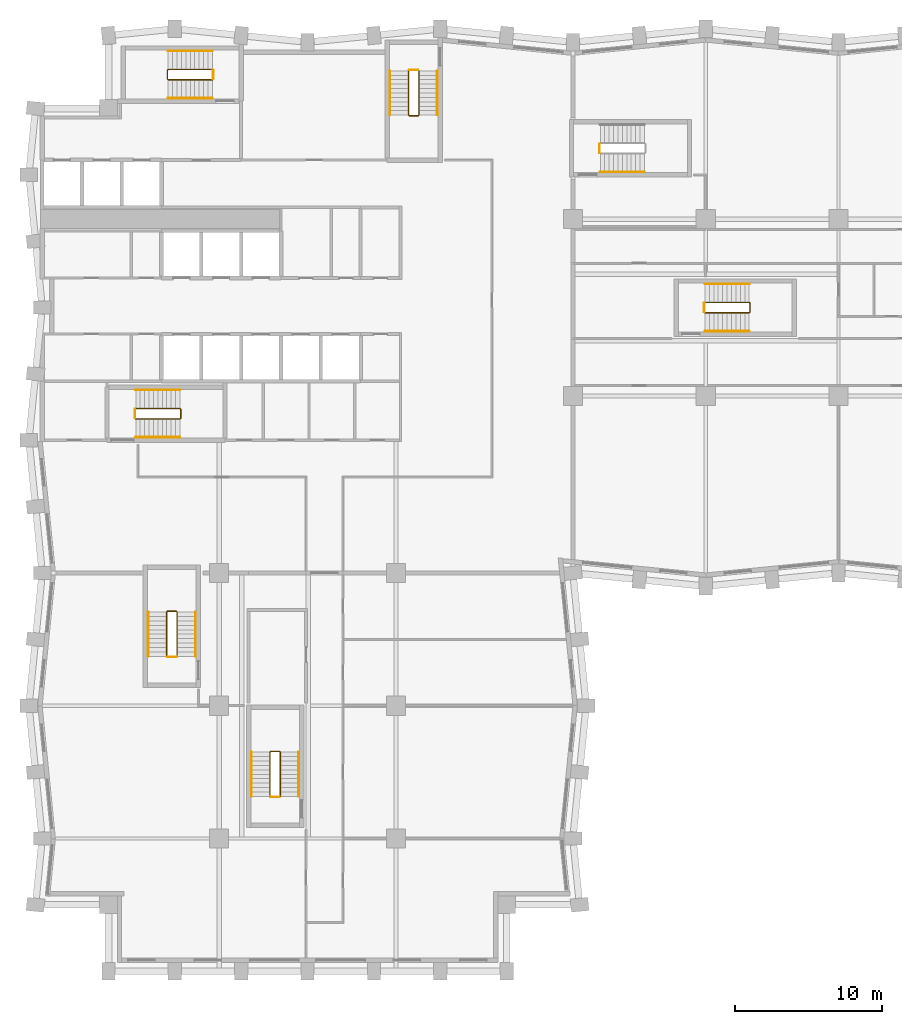
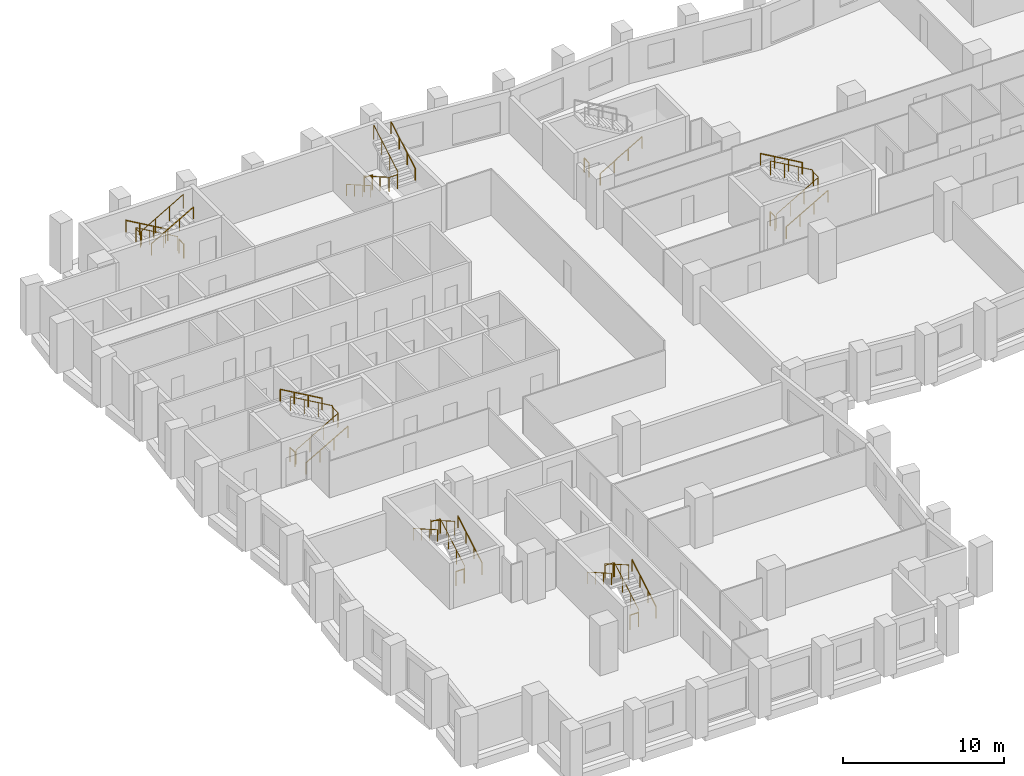
# One storey, part 10 of 11: 26 railings.
"""IFC4 building model written with IfcOpenShell, lengths in metres."""

from ifc_helpers import new_model, si_unit, direction, frame, origin, origin_2d, place, context, subcontext, project, spatial, circle, extrude, material, type_object, element, save


model = new_model("IFC4")

# Units and contexts
model_context = context("Model", 3, precision=1e-05, world=origin(), true_north=direction((0.0, 1.0)))
body_context = subcontext(model_context, "Body", "Model", "MODEL_VIEW")
ifc_project = project(units=[si_unit("LENGTHUNIT", "METRE"), si_unit("AREAUNIT", "SQUARE_METRE"), si_unit("VOLUMEUNIT", "CUBIC_METRE"), si_unit("PLANEANGLEUNIT", "RADIAN"), si_unit("MASSUNIT", "GRAM", prefix="KILO")], contexts=[model_context])

# Site, building, storey
site_placement = place(None, origin())
site = spatial("IfcSite", under=ifc_project, at=site_placement, CompositionType="ELEMENT")
building_placement = place(site_placement, origin())
building = spatial("IfcBuilding", under=site, at=building_placement, Name="Brondeck Convention Tower", CompositionType="ELEMENT")
storey_placement = place(building_placement, frame((0.0, 0.0, 99.89990234375)))
storey = spatial("IfcBuildingStorey", under=building, at=storey_placement, Name="L23", CompositionType="ELEMENT", Elevation=99.89990234375)

# Railings
ifc_material = material(Name="Steel S355", Category="steel")
railing_type_1 = type_object("IfcRailingType", Name="Stair guard 1100", PredefinedType="GUARDRAIL", material=ifc_material)
railing_1_placement = place(storey_placement, frame((6.35009765625, 37.449951171875, 0.1728515625)))
element("IfcRailing", 1, at=railing_1_placement, inside=storey, type_object=railing_type_1, Name="L23 ST-1 stair guard 1", PredefinedType="GUARDRAIL", context=body_context, shape_type="SweptSolid", body=[
    extrude(circle(Radius=0.02392578125, at=origin_2d()), frame((0.0, 0.0, 1.076171875), z_axis=(0.866619684472, 0.0, 0.498969260062), x_axis=(0.0, 1.0, 0.0)), (0.0, 0.0, 1.0), 3.461669921875),
    extrude(circle(Radius=0.02392578125, at=origin_2d()), frame((3.0, 0.0, 2.80322265625), z_axis=(0.705375805398, 0.708833529934, 0.0), x_axis=(-0.708833529934, 0.705375805398, 0.0)), (0.0, 0.0, 1.0), 0.070556640625),
    extrude(circle(Radius=0.02392578125, at=origin_2d()), frame((3.0498046875, 0.050048828125, 2.80322265625), z_axis=(0.0, 1.0, 0.0), x_axis=(-1.0, 0.0, 0.0)), (0.0, 0.0, 1.0), 0.60009765625),
    extrude(circle(Radius=0.02392578125, at=origin_2d()), frame((3.0498046875, 0.650146484375, 2.80322265625), z_axis=(-0.26715648603, 0.26715648603, 0.925880566782), x_axis=(-0.707106781187, -0.707106781187, 0.0)), (0.0, 0.0, 1.0), 0.1865234375),
    extrude(circle(Radius=0.02392578125, at=origin_2d()), frame((3.0, 0.699951171875, 2.97607421875), z_axis=(-0.866619684472, 0.0, 0.498969260062), x_axis=(0.0, -1.0, 0.0)), (0.0, 0.0, 1.0), 3.461669921875),
    extrude(circle(Radius=0.02099609375, at=origin_2d()), origin(), (0.0, 0.0, 1.0), 1.052001953125),
    extrude(circle(Radius=0.02099609375, at=origin_2d()), frame((1.0, 0.0, 0.57568359375)), (0.0, 0.0, 1.0), 1.052001953125),
    extrude(circle(Radius=0.02099609375, at=origin_2d()), frame((2.0, 0.0, 1.151611328125)), (0.0, 0.0, 1.0), 1.052001953125),
    extrude(circle(Radius=0.02099609375, at=origin_2d()), frame((3.0, 0.0, 1.727294921875)), (0.0, 0.0, 1.0), 1.052001953125),
    extrude(circle(Radius=0.02099609375, at=origin_2d()), frame((3.0498046875, 0.050048828125, 1.727294921875)), (0.0, 0.0, 1.0), 1.052001953125),
    extrude(circle(Radius=0.02099609375, at=origin_2d()), frame((3.0498046875, 0.650146484375, 1.727294921875)), (0.0, 0.0, 1.0), 1.052001953125),
    extrude(circle(Radius=0.02099609375, at=origin_2d()), frame((3.0, 0.699951171875, 1.89990234375)), (0.0, 0.0, 1.0), 1.052001953125),
    extrude(circle(Radius=0.02099609375, at=origin_2d()), frame((2.0, 0.699951171875, 2.4755859375)), (0.0, 0.0, 1.0), 1.052001953125),
    extrude(circle(Radius=0.02099609375, at=origin_2d()), frame((1.0, 0.699951171875, 3.051513671875)), (0.0, 0.0, 1.0), 1.052001953125),
    extrude(circle(Radius=0.02099609375, at=origin_2d()), frame((0.0, 0.699951171875, 3.627197265625)), (0.0, 0.0, 1.0), 1.052001953125),
])
railing_2_placement = place(storey_placement, frame((6.300048828125, 37.5, 0.0)))
element("IfcRailing", 2, at=railing_2_placement, inside=storey, type_object=railing_type_1, Name="L23 ST-1 stair guard 2", PredefinedType="GUARDRAIL", context=body_context, shape_type="SweptSolid", body=[
    extrude(circle(Radius=0.02392578125, at=origin_2d()), frame((0.0, 0.0, 1.076171875), z_axis=(0.0, 1.0, 0.0), x_axis=(-1.0, 0.0, 0.0)), (0.0, 0.0, 1.0), 0.60009765625),
    extrude(circle(Radius=0.02099609375, at=origin_2d()), origin(), (0.0, 0.0, 1.0), 1.052001953125),
    extrude(circle(Radius=0.02099609375, at=origin_2d()), frame((0.0, 0.60009765625, 0.0)), (0.0, 0.0, 1.0), 1.052001953125),
])
railing_3_placement = place(storey_placement, frame((24.85009765625, 61.050048828125, 0.1728515625)))
element("IfcRailing", 3, at=railing_3_placement, inside=storey, type_object=railing_type_1, Name="L23 ST-2 stair guard 1", PredefinedType="GUARDRAIL", context=body_context, shape_type="SweptSolid", body=[
    extrude(circle(Radius=0.02392578125, at=origin_2d()), frame((0.0, 0.0, 1.076171875), z_axis=(0.0, -0.866619684472, 0.498969260062), x_axis=(1.0, 0.0, 0.0)), (0.0, 0.0, 1.0), 3.461669921875),
    extrude(circle(Radius=0.02392578125, at=origin_2d()), frame((0.0, -3.0, 2.80322265625), z_axis=(0.705375805398, -0.708833529934, 0.0), x_axis=(0.708833529934, 0.705375805398, 0.0)), (0.0, 0.0, 1.0), 0.070556640625),
    extrude(circle(Radius=0.02392578125, at=origin_2d()), frame((0.0498046875, -3.050048828125, 2.80322265625), z_axis=(1.0, 0.0, 0.0), x_axis=(0.0, 1.0, 0.0)), (0.0, 0.0, 1.0), 0.60009765625),
    extrude(circle(Radius=0.02392578125, at=origin_2d()), frame((0.64990234375, -3.050048828125, 2.80322265625), z_axis=(0.268277960024, 0.268277960024, 0.925231793839), x_axis=(-0.707106781187, 0.707106781187, 0.0)), (0.0, 0.0, 1.0), 0.1865234375),
    extrude(circle(Radius=0.02392578125, at=origin_2d()), frame((0.699951171875, -3.0, 2.97607421875), z_axis=(0.0, 0.866619684472, 0.498969260062), x_axis=(-1.0, 0.0, 0.0)), (0.0, 0.0, 1.0), 3.461669921875),
    extrude(circle(Radius=0.02099609375, at=origin_2d()), origin(), (0.0, 0.0, 1.0), 1.052001953125),
    extrude(circle(Radius=0.02099609375, at=origin_2d()), frame((0.0, -1.0, 0.57568359375)), (0.0, 0.0, 1.0), 1.052001953125),
    extrude(circle(Radius=0.02099609375, at=origin_2d()), frame((0.0, -2.0, 1.151611328125)), (0.0, 0.0, 1.0), 1.052001953125),
    extrude(circle(Radius=0.02099609375, at=origin_2d()), frame((0.0, -3.0, 1.727294921875)), (0.0, 0.0, 1.0), 1.052001953125),
    extrude(circle(Radius=0.02099609375, at=origin_2d()), frame((0.0498046875, -3.050048828125, 1.727294921875)), (0.0, 0.0, 1.0), 1.052001953125),
    extrude(circle(Radius=0.02099609375, at=origin_2d()), frame((0.64990234375, -3.050048828125, 1.727294921875)), (0.0, 0.0, 1.0), 1.052001953125),
    extrude(circle(Radius=0.02099609375, at=origin_2d()), frame((0.699951171875, -3.0, 1.89990234375)), (0.0, 0.0, 1.0), 1.052001953125),
    extrude(circle(Radius=0.02099609375, at=origin_2d()), frame((0.699951171875, -2.0, 2.4755859375)), (0.0, 0.0, 1.0), 1.052001953125),
    extrude(circle(Radius=0.02099609375, at=origin_2d()), frame((0.699951171875, -1.0, 3.051513671875)), (0.0, 0.0, 1.0), 1.052001953125),
    extrude(circle(Radius=0.02099609375, at=origin_2d()), frame((0.699951171875, 0.0, 3.627197265625)), (0.0, 0.0, 1.0), 1.052001953125),
])
railing_4_placement = place(storey_placement, frame((24.89990234375, 61.10009765625, 0.0)))
element("IfcRailing", 4, at=railing_4_placement, inside=storey, type_object=railing_type_1, Name="L23 ST-2 stair guard 2", PredefinedType="GUARDRAIL", context=body_context, shape_type="SweptSolid", body=[
    extrude(circle(Radius=0.02392578125, at=origin_2d()), frame((0.0, 0.0, 1.076171875), z_axis=(1.0, 0.0, 0.0), x_axis=(0.0, 1.0, 0.0)), (0.0, 0.0, 1.0), 0.60009765625),
    extrude(circle(Radius=0.02099609375, at=origin_2d()), origin(), (0.0, 0.0, 1.0), 1.052001953125),
    extrude(circle(Radius=0.02099609375, at=origin_2d()), frame((0.60009765625, 0.0, 0.0)), (0.0, 0.0, 1.0), 1.052001953125),
])
railing_5_placement = place(storey_placement, frame((11.550048828125, 61.14990234375, 0.1728515625)))
element("IfcRailing", 5, at=railing_5_placement, inside=storey, type_object=railing_type_1, Name="L23 ST-3 stair guard 1", PredefinedType="GUARDRAIL", context=body_context, shape_type="SweptSolid", body=[
    extrude(circle(Radius=0.02392578125, at=origin_2d()), frame((0.0, 0.0, 1.076171875), z_axis=(-0.866619684472, 0.0, 0.498969260062), x_axis=(0.0, -1.0, 0.0)), (0.0, 0.0, 1.0), 3.461669921875),
    extrude(circle(Radius=0.02392578125, at=origin_2d()), frame((-3.0, 0.0, 2.80322265625), z_axis=(-0.708833529934, -0.705375805398, 0.0), x_axis=(0.705375805398, -0.708833529934, 0.0)), (0.0, 0.0, 1.0), 0.070556640625),
    extrude(circle(Radius=0.02392578125, at=origin_2d()), frame((-3.050048828125, -0.0498046875, 2.80322265625), z_axis=(0.0, -1.0, 0.0), x_axis=(1.0, 0.0, 0.0)), (0.0, 0.0, 1.0), 0.60009765625),
    extrude(circle(Radius=0.02392578125, at=origin_2d()), frame((-3.050048828125, -0.64990234375, 2.80322265625), z_axis=(0.268277960024, -0.268277960024, 0.925231793839), x_axis=(0.707106781187, 0.707106781187, 0.0)), (0.0, 0.0, 1.0), 0.1865234375),
    extrude(circle(Radius=0.02392578125, at=origin_2d()), frame((-3.0, -0.699951171875, 2.97607421875), z_axis=(0.866619684472, 0.0, 0.498969260062), x_axis=(0.0, 1.0, 0.0)), (0.0, 0.0, 1.0), 3.461669921875),
    extrude(circle(Radius=0.02099609375, at=origin_2d()), origin(), (0.0, 0.0, 1.0), 1.052001953125),
    extrude(circle(Radius=0.02099609375, at=origin_2d()), frame((-1.0, 0.0, 0.57568359375)), (0.0, 0.0, 1.0), 1.052001953125),
    extrude(circle(Radius=0.02099609375, at=origin_2d()), frame((-2.0, 0.0, 1.151611328125)), (0.0, 0.0, 1.0), 1.052001953125),
    extrude(circle(Radius=0.02099609375, at=origin_2d()), frame((-3.0, 0.0, 1.727294921875)), (0.0, 0.0, 1.0), 1.052001953125),
    extrude(circle(Radius=0.02099609375, at=origin_2d()), frame((-3.050048828125, -0.0498046875, 1.727294921875)), (0.0, 0.0, 1.0), 1.052001953125),
    extrude(circle(Radius=0.02099609375, at=origin_2d()), frame((-3.050048828125, -0.64990234375, 1.727294921875)), (0.0, 0.0, 1.0), 1.052001953125),
    extrude(circle(Radius=0.02099609375, at=origin_2d()), frame((-3.0, -0.699951171875, 1.89990234375)), (0.0, 0.0, 1.0), 1.052001953125),
    extrude(circle(Radius=0.02099609375, at=origin_2d()), frame((-2.0, -0.699951171875, 2.4755859375)), (0.0, 0.0, 1.0), 1.052001953125),
    extrude(circle(Radius=0.02099609375, at=origin_2d()), frame((-1.0, -0.699951171875, 3.051513671875)), (0.0, 0.0, 1.0), 1.052001953125),
    extrude(circle(Radius=0.02099609375, at=origin_2d()), frame((0.0, -0.699951171875, 3.627197265625)), (0.0, 0.0, 1.0), 1.052001953125),
])
railing_6_placement = place(storey_placement, frame((11.60009765625, 61.10009765625, 0.0)))
element("IfcRailing", 6, at=railing_6_placement, inside=storey, type_object=railing_type_1, Name="L23 ST-3 stair guard 2", PredefinedType="GUARDRAIL", context=body_context, shape_type="SweptSolid", body=[
    extrude(circle(Radius=0.02392578125, at=origin_2d()), frame((0.0, 0.0, 1.076171875), z_axis=(0.0, -1.0, 0.0), x_axis=(1.0, 0.0, 0.0)), (0.0, 0.0, 1.0), 0.60009765625),
    extrude(circle(Radius=0.02099609375, at=origin_2d()), origin(), (0.0, 0.0, 1.0), 1.052001953125),
    extrude(circle(Radius=0.02099609375, at=origin_2d()), frame((0.0, -0.60009765625, 0.0)), (0.0, 0.0, 1.0), 1.052001953125),
])
railing_7_placement = place(storey_placement, frame((37.800048828125, 55.5, 0.0)))
element("IfcRailing", 7, at=railing_7_placement, inside=storey, type_object=railing_type_1, Name="L23 ST-AE stair guard 2", PredefinedType="GUARDRAIL", context=body_context, shape_type="SweptSolid", body=[
    extrude(circle(Radius=0.02392578125, at=origin_2d()), frame((0.0, 0.0, 1.076171875), z_axis=(0.0, 1.0, 0.0), x_axis=(-1.0, 0.0, 0.0)), (0.0, 0.0, 1.0), 0.60009765625),
    extrude(circle(Radius=0.02099609375, at=origin_2d()), origin(), (0.0, 0.0, 1.0), 1.052001953125),
    extrude(circle(Radius=0.02099609375, at=origin_2d()), frame((0.0, 0.60009765625, 0.0)), (0.0, 0.0, 1.0), 1.052001953125),
])
railing_8_placement = place(storey_placement, frame((9.14990234375, 21.35009765625, 0.1728515625)))
element("IfcRailing", 8, at=railing_8_placement, inside=storey, type_object=railing_type_1, Name="L23 ST-BE stair guard 1", PredefinedType="GUARDRAIL", context=body_context, shape_type="SweptSolid", body=[
    extrude(circle(Radius=0.02392578125, at=origin_2d()), frame((0.0, 0.0, 1.076171875), z_axis=(0.0, 0.866619684472, 0.498969260062), x_axis=(-1.0, 0.0, 0.0)), (0.0, 0.0, 1.0), 3.461669921875),
    extrude(circle(Radius=0.02392578125, at=origin_2d()), frame((0.0, 3.0, 2.80322265625), z_axis=(-0.707106781187, 0.707106781187, 0.0), x_axis=(-0.707106781187, -0.707106781187, 0.0)), (0.0, 0.0, 1.0), 0.0703125),
    extrude(circle(Radius=0.02392578125, at=origin_2d()), frame((-0.0498046875, 3.0498046875, 2.80322265625), z_axis=(-1.0, 0.0, 0.0), x_axis=(0.0, -1.0, 0.0)), (0.0, 0.0, 1.0), 0.60009765625),
    extrude(circle(Radius=0.02392578125, at=origin_2d()), frame((-0.64990234375, 3.0498046875, 2.80322265625), z_axis=(-0.268371968888, -0.267062837333, 0.925556009775), x_axis=(0.705375805398, -0.708833529934, 0.0)), (0.0, 0.0, 1.0), 0.1865234375),
    extrude(circle(Radius=0.02392578125, at=origin_2d()), frame((-0.699951171875, 3.0, 2.97607421875), z_axis=(0.0, -0.866619684472, 0.498969260062), x_axis=(1.0, 0.0, 0.0)), (0.0, 0.0, 1.0), 3.461669921875),
    extrude(circle(Radius=0.02099609375, at=origin_2d()), origin(), (0.0, 0.0, 1.0), 1.052001953125),
    extrude(circle(Radius=0.02099609375, at=origin_2d()), frame((0.0, 1.0, 0.57568359375)), (0.0, 0.0, 1.0), 1.052001953125),
    extrude(circle(Radius=0.02099609375, at=origin_2d()), frame((0.0, 2.0, 1.151611328125)), (0.0, 0.0, 1.0), 1.052001953125),
    extrude(circle(Radius=0.02099609375, at=origin_2d()), frame((0.0, 3.0, 1.727294921875)), (0.0, 0.0, 1.0), 1.052001953125),
    extrude(circle(Radius=0.02099609375, at=origin_2d()), frame((-0.0498046875, 3.0498046875, 1.727294921875)), (0.0, 0.0, 1.0), 1.052001953125),
    extrude(circle(Radius=0.02099609375, at=origin_2d()), frame((-0.64990234375, 3.0498046875, 1.727294921875)), (0.0, 0.0, 1.0), 1.052001953125),
    extrude(circle(Radius=0.02099609375, at=origin_2d()), frame((-0.699951171875, 3.0, 1.89990234375)), (0.0, 0.0, 1.0), 1.052001953125),
    extrude(circle(Radius=0.02099609375, at=origin_2d()), frame((-0.699951171875, 2.0, 2.4755859375)), (0.0, 0.0, 1.0), 1.052001953125),
    extrude(circle(Radius=0.02099609375, at=origin_2d()), frame((-0.699951171875, 1.0, 3.051513671875)), (0.0, 0.0, 1.0), 1.052001953125),
    extrude(circle(Radius=0.02099609375, at=origin_2d()), frame((-0.699951171875, 0.0, 3.627197265625)), (0.0, 0.0, 1.0), 1.052001953125),
])
railing_9_placement = place(storey_placement, frame((9.10009765625, 21.300048828125, 0.0)))
element("IfcRailing", 9, at=railing_9_placement, inside=storey, type_object=railing_type_1, Name="L23 ST-BE stair guard 2", PredefinedType="GUARDRAIL", context=body_context, shape_type="SweptSolid", body=[
    extrude(circle(Radius=0.02392578125, at=origin_2d()), frame((0.0, 0.0, 1.076171875), z_axis=(-1.0, 0.0, 0.0), x_axis=(0.0, -1.0, 0.0)), (0.0, 0.0, 1.0), 0.60009765625),
    extrude(circle(Radius=0.02099609375, at=origin_2d()), origin(), (0.0, 0.0, 1.0), 1.052001953125),
    extrude(circle(Radius=0.02099609375, at=origin_2d()), frame((-0.60009765625, 0.0, 0.0)), (0.0, 0.0, 1.0), 1.052001953125),
])
railing_10_placement = place(storey_placement, frame((44.949951171875, 44.64990234375, 0.1728515625)))
element("IfcRailing", 10, at=railing_10_placement, inside=storey, type_object=railing_type_1, Name="L23 ST-AF stair guard 1", PredefinedType="GUARDRAIL", context=body_context, shape_type="SweptSolid", body=[
    extrude(circle(Radius=0.02392578125, at=origin_2d()), frame((0.0, 0.0, 1.076171875), z_axis=(0.866619684472, 0.0, 0.498969260062), x_axis=(0.0, 1.0, 0.0)), (0.0, 0.0, 1.0), 3.461669921875),
    extrude(circle(Radius=0.02392578125, at=origin_2d()), frame((3.0, 0.0, 2.80322265625), z_axis=(0.707106781187, 0.707106781187, 0.0), x_axis=(-0.707106781187, 0.707106781187, 0.0)), (0.0, 0.0, 1.0), 0.07080078125),
    extrude(circle(Radius=0.02392578125, at=origin_2d()), frame((3.050048828125, 0.050048828125, 2.80322265625), z_axis=(0.0, 1.0, 0.0), x_axis=(-1.0, 0.0, 0.0)), (0.0, 0.0, 1.0), 0.60009765625),
    extrude(circle(Radius=0.02392578125, at=origin_2d()), frame((3.050048828125, 0.650146484375, 2.80322265625), z_axis=(-0.268277960024, 0.268277960024, 0.925231793839), x_axis=(-0.707106781187, -0.707106781187, 0.0)), (0.0, 0.0, 1.0), 0.1865234375),
    extrude(circle(Radius=0.02392578125, at=origin_2d()), frame((3.0, 0.7001953125, 2.97607421875), z_axis=(-0.866619684472, 0.0, 0.498969260062), x_axis=(0.0, -1.0, 0.0)), (0.0, 0.0, 1.0), 3.461669921875),
    extrude(circle(Radius=0.02099609375, at=origin_2d()), origin(), (0.0, 0.0, 1.0), 1.052001953125),
    extrude(circle(Radius=0.02099609375, at=origin_2d()), frame((1.0, 0.0, 0.57568359375)), (0.0, 0.0, 1.0), 1.052001953125),
    extrude(circle(Radius=0.02099609375, at=origin_2d()), frame((2.0, 0.0, 1.151611328125)), (0.0, 0.0, 1.0), 1.052001953125),
    extrude(circle(Radius=0.02099609375, at=origin_2d()), frame((3.0, 0.0, 1.727294921875)), (0.0, 0.0, 1.0), 1.052001953125),
    extrude(circle(Radius=0.02099609375, at=origin_2d()), frame((3.050048828125, 0.050048828125, 1.727294921875)), (0.0, 0.0, 1.0), 1.052001953125),
    extrude(circle(Radius=0.02099609375, at=origin_2d()), frame((3.050048828125, 0.650146484375, 1.727294921875)), (0.0, 0.0, 1.0), 1.052001953125),
    extrude(circle(Radius=0.02099609375, at=origin_2d()), frame((3.0, 0.7001953125, 1.89990234375)), (0.0, 0.0, 1.0), 1.052001953125),
    extrude(circle(Radius=0.02099609375, at=origin_2d()), frame((2.0, 0.7001953125, 2.4755859375)), (0.0, 0.0, 1.0), 1.052001953125),
    extrude(circle(Radius=0.02099609375, at=origin_2d()), frame((1.0, 0.7001953125, 3.051513671875)), (0.0, 0.0, 1.0), 1.052001953125),
    extrude(circle(Radius=0.02099609375, at=origin_2d()), frame((0.0, 0.7001953125, 3.627197265625)), (0.0, 0.0, 1.0), 1.052001953125),
])
railing_11_placement = place(storey_placement, frame((44.89990234375, 44.699951171875, 0.0)))
element("IfcRailing", 11, at=railing_11_placement, inside=storey, type_object=railing_type_1, Name="L23 ST-AF stair guard 2", PredefinedType="GUARDRAIL", context=body_context, shape_type="SweptSolid", body=[
    extrude(circle(Radius=0.02392578125, at=origin_2d()), frame((0.0, 0.0, 1.076171875), z_axis=(0.0, 1.0, 0.0), x_axis=(-1.0, 0.0, 0.0)), (0.0, 0.0, 1.0), 0.60009765625),
    extrude(circle(Radius=0.02099609375, at=origin_2d()), origin(), (0.0, 0.0, 1.0), 1.052001953125),
    extrude(circle(Radius=0.02099609375, at=origin_2d()), frame((0.0, 0.60009765625, 0.0)), (0.0, 0.0, 1.0), 1.052001953125),
])
railing_12_placement = place(storey_placement, frame((16.14990234375, 11.85009765625, 0.1728515625)))
element("IfcRailing", 12, at=railing_12_placement, inside=storey, type_object=railing_type_1, Name="L23 ST-BF stair guard 1", PredefinedType="GUARDRAIL", context=body_context, shape_type="SweptSolid", body=[
    extrude(circle(Radius=0.02392578125, at=origin_2d()), frame((0.0, 0.0, 1.076171875), z_axis=(0.0, 0.866619684472, 0.498969260062), x_axis=(-1.0, 0.0, 0.0)), (0.0, 0.0, 1.0), 3.461669921875),
    extrude(circle(Radius=0.02392578125, at=origin_2d()), frame((0.0, 3.0, 2.80322265625), z_axis=(-0.707106781187, 0.707106781187, 0.0), x_axis=(-0.707106781187, -0.707106781187, 0.0)), (0.0, 0.0, 1.0), 0.0703125),
    extrude(circle(Radius=0.02392578125, at=origin_2d()), frame((-0.0498046875, 3.0498046875, 2.80322265625), z_axis=(-1.0, 0.0, 0.0), x_axis=(0.0, -1.0, 0.0)), (0.0, 0.0, 1.0), 0.60009765625),
    extrude(circle(Radius=0.02392578125, at=origin_2d()), frame((-0.64990234375, 3.0498046875, 2.80322265625), z_axis=(-0.268371968888, -0.267062837333, 0.925556009775), x_axis=(0.705375805398, -0.708833529934, 0.0)), (0.0, 0.0, 1.0), 0.1865234375),
    extrude(circle(Radius=0.02392578125, at=origin_2d()), frame((-0.699951171875, 3.0, 2.97607421875), z_axis=(0.0, -0.866619684472, 0.498969260062), x_axis=(1.0, 0.0, 0.0)), (0.0, 0.0, 1.0), 3.461669921875),
    extrude(circle(Radius=0.02099609375, at=origin_2d()), origin(), (0.0, 0.0, 1.0), 1.052001953125),
    extrude(circle(Radius=0.02099609375, at=origin_2d()), frame((0.0, 1.0, 0.57568359375)), (0.0, 0.0, 1.0), 1.052001953125),
    extrude(circle(Radius=0.02099609375, at=origin_2d()), frame((0.0, 2.0, 1.151611328125)), (0.0, 0.0, 1.0), 1.052001953125),
    extrude(circle(Radius=0.02099609375, at=origin_2d()), frame((0.0, 3.0, 1.727294921875)), (0.0, 0.0, 1.0), 1.052001953125),
    extrude(circle(Radius=0.02099609375, at=origin_2d()), frame((-0.0498046875, 3.0498046875, 1.727294921875)), (0.0, 0.0, 1.0), 1.052001953125),
    extrude(circle(Radius=0.02099609375, at=origin_2d()), frame((-0.64990234375, 3.0498046875, 1.727294921875)), (0.0, 0.0, 1.0), 1.052001953125),
    extrude(circle(Radius=0.02099609375, at=origin_2d()), frame((-0.699951171875, 3.0, 1.89990234375)), (0.0, 0.0, 1.0), 1.052001953125),
    extrude(circle(Radius=0.02099609375, at=origin_2d()), frame((-0.699951171875, 2.0, 2.4755859375)), (0.0, 0.0, 1.0), 1.052001953125),
    extrude(circle(Radius=0.02099609375, at=origin_2d()), frame((-0.699951171875, 1.0, 3.051513671875)), (0.0, 0.0, 1.0), 1.052001953125),
    extrude(circle(Radius=0.02099609375, at=origin_2d()), frame((-0.699951171875, 0.0, 3.627197265625)), (0.0, 0.0, 1.0), 1.052001953125),
])
railing_13_placement = place(storey_placement, frame((16.10009765625, 11.800048828125, 0.0)))
element("IfcRailing", 13, at=railing_13_placement, inside=storey, type_object=railing_type_1, Name="L23 ST-BF stair guard 2", PredefinedType="GUARDRAIL", context=body_context, shape_type="SweptSolid", body=[
    extrude(circle(Radius=0.02392578125, at=origin_2d()), frame((0.0, 0.0, 1.076171875), z_axis=(-1.0, 0.0, 0.0), x_axis=(0.0, -1.0, 0.0)), (0.0, 0.0, 1.0), 0.60009765625),
    extrude(circle(Radius=0.02099609375, at=origin_2d()), origin(), (0.0, 0.0, 1.0), 1.052001953125),
    extrude(circle(Radius=0.02099609375, at=origin_2d()), frame((-0.60009765625, 0.0, 0.0)), (0.0, 0.0, 1.0), 1.052001953125),
])
railing_type_2 = type_object("IfcRailingType", Name="Stair handrail", PredefinedType="HANDRAIL", material=ifc_material)
railing_14_placement = place(storey_placement, frame((6.35009765625, 36.199951171875, 0.1728515625)))
element("IfcRailing", 14, at=railing_14_placement, inside=storey, type_object=railing_type_2, Name="L23 ST-1 stair handrail 1", PredefinedType="HANDRAIL", context=body_context, shape_type="SweptSolid", body=[
    extrude(circle(Radius=0.02392578125, at=origin_2d()), frame((0.0, 0.0, 0.8759765625), z_axis=(0.866619684472, 0.0, 0.498969260062), x_axis=(0.0, 1.0, 0.0)), (0.0, 0.0, 1.0), 3.461669921875),
    extrude(circle(Radius=0.02099609375, at=origin_2d()), origin(), (0.0, 0.0, 1.0), 0.851806640625),
    extrude(circle(Radius=0.02099609375, at=origin_2d()), frame((1.0, 0.0, 0.57568359375)), (0.0, 0.0, 1.0), 0.851806640625),
    extrude(circle(Radius=0.02099609375, at=origin_2d()), frame((2.0, 0.0, 1.151611328125)), (0.0, 0.0, 1.0), 0.851806640625),
    extrude(circle(Radius=0.02099609375, at=origin_2d()), frame((3.0, 0.0, 1.727294921875)), (0.0, 0.0, 1.0), 0.851806640625),
])
railing_15_placement = place(storey_placement, frame((9.35009765625, 39.39990234375, 2.07275390625)))
element("IfcRailing", 15, at=railing_15_placement, inside=storey, type_object=railing_type_2, Name="L23 ST-1 stair handrail 2", PredefinedType="HANDRAIL", context=body_context, shape_type="SweptSolid", body=[
    extrude(circle(Radius=0.02392578125, at=origin_2d()), frame((0.0, 0.0, 0.8759765625), z_axis=(-0.866619684472, 0.0, 0.498969260062), x_axis=(0.0, -1.0, 0.0)), (0.0, 0.0, 1.0), 3.461669921875),
    extrude(circle(Radius=0.02099609375, at=origin_2d()), origin(), (0.0, 0.0, 1.0), 0.851806640625),
    extrude(circle(Radius=0.02099609375, at=origin_2d()), frame((-1.0, 0.0, 0.57568359375)), (0.0, 0.0, 1.0), 0.851806640625),
    extrude(circle(Radius=0.02099609375, at=origin_2d()), frame((-2.0, 0.0, 1.151611328125)), (0.0, 0.0, 1.0), 0.851806640625),
    extrude(circle(Radius=0.02099609375, at=origin_2d()), frame((-3.0, 0.0, 1.727294921875)), (0.0, 0.0, 1.0), 0.851806640625),
])
railing_16_placement = place(storey_placement, frame((23.60009765625, 61.050048828125, 0.1728515625)))
element("IfcRailing", 16, at=railing_16_placement, inside=storey, type_object=railing_type_2, Name="L23 ST-2 stair handrail 1", PredefinedType="HANDRAIL", context=body_context, shape_type="SweptSolid", body=[
    extrude(circle(Radius=0.02392578125, at=origin_2d()), frame((0.0, 0.0, 0.8759765625), z_axis=(0.0, -0.866619684472, 0.498969260062), x_axis=(1.0, 0.0, 0.0)), (0.0, 0.0, 1.0), 3.461669921875),
    extrude(circle(Radius=0.02099609375, at=origin_2d()), origin(), (0.0, 0.0, 1.0), 0.851806640625),
    extrude(circle(Radius=0.02099609375, at=origin_2d()), frame((0.0, -1.0, 0.57568359375)), (0.0, 0.0, 1.0), 0.851806640625),
    extrude(circle(Radius=0.02099609375, at=origin_2d()), frame((0.0, -2.0, 1.151611328125)), (0.0, 0.0, 1.0), 0.851806640625),
    extrude(circle(Radius=0.02099609375, at=origin_2d()), frame((0.0, -3.0, 1.727294921875)), (0.0, 0.0, 1.0), 0.851806640625),
])
railing_17_placement = place(storey_placement, frame((26.800048828125, 58.050048828125, 2.07275390625)))
element("IfcRailing", 17, at=railing_17_placement, inside=storey, type_object=railing_type_2, Name="L23 ST-2 stair handrail 2", PredefinedType="HANDRAIL", context=body_context, shape_type="SweptSolid", body=[
    extrude(circle(Radius=0.02392578125, at=origin_2d()), frame((0.0, 0.0, 0.8759765625), z_axis=(0.0, 0.866619684472, 0.498969260062), x_axis=(-1.0, 0.0, 0.0)), (0.0, 0.0, 1.0), 3.461669921875),
    extrude(circle(Radius=0.02099609375, at=origin_2d()), origin(), (0.0, 0.0, 1.0), 0.851806640625),
    extrude(circle(Radius=0.02099609375, at=origin_2d()), frame((0.0, 1.0, 0.57568359375)), (0.0, 0.0, 1.0), 0.851806640625),
    extrude(circle(Radius=0.02099609375, at=origin_2d()), frame((0.0, 2.0, 1.151611328125)), (0.0, 0.0, 1.0), 0.851806640625),
    extrude(circle(Radius=0.02099609375, at=origin_2d()), frame((0.0, 3.0, 1.727294921875)), (0.0, 0.0, 1.0), 0.851806640625),
])
railing_18_placement = place(storey_placement, frame((11.550048828125, 62.39990234375, 0.1728515625)))
element("IfcRailing", 18, at=railing_18_placement, inside=storey, type_object=railing_type_2, Name="L23 ST-3 stair handrail 1", PredefinedType="HANDRAIL", context=body_context, shape_type="SweptSolid", body=[
    extrude(circle(Radius=0.02392578125, at=origin_2d()), frame((0.0, 0.0, 0.8759765625), z_axis=(-0.866619684472, 0.0, 0.498969260062), x_axis=(0.0, -1.0, 0.0)), (0.0, 0.0, 1.0), 3.461669921875),
    extrude(circle(Radius=0.02099609375, at=origin_2d()), origin(), (0.0, 0.0, 1.0), 0.851806640625),
    extrude(circle(Radius=0.02099609375, at=origin_2d()), frame((-1.0, 0.0, 0.57568359375)), (0.0, 0.0, 1.0), 0.851806640625),
    extrude(circle(Radius=0.02099609375, at=origin_2d()), frame((-2.0, 0.0, 1.151611328125)), (0.0, 0.0, 1.0), 0.851806640625),
    extrude(circle(Radius=0.02099609375, at=origin_2d()), frame((-3.0, 0.0, 1.727294921875)), (0.0, 0.0, 1.0), 0.851806640625),
])
for number, where, name in (
    (19, (8.550048828125, 59.199951171875, 2.07275390625), "L23 ST-3 stair handrail 2"),
    (20, (37.85009765625, 54.199951171875, 0.1728515625), "L23 ST-AE stair handrail 1"),
):
    element("IfcRailing", number, at=place(storey_placement, frame(where)), inside=storey, type_object=railing_type_2, Name=name, PredefinedType="HANDRAIL", context=body_context, shape_type="SweptSolid", body=[
        extrude(circle(Radius=0.02392578125, at=origin_2d()), frame((0.0, 0.0, 0.8759765625), z_axis=(0.866619684472, 0.0, 0.498969260062), x_axis=(0.0, 1.0, 0.0)), (0.0, 0.0, 1.0), 3.461669921875),
        extrude(circle(Radius=0.02099609375, at=origin_2d()), origin(), (0.0, 0.0, 1.0), 0.851806640625),
        extrude(circle(Radius=0.02099609375, at=origin_2d()), frame((1.0, 0.0, 0.57568359375)), (0.0, 0.0, 1.0), 0.851806640625),
        extrude(circle(Radius=0.02099609375, at=origin_2d()), frame((2.0, 0.0, 1.151611328125)), (0.0, 0.0, 1.0), 0.851806640625),
        extrude(circle(Radius=0.02099609375, at=origin_2d()), frame((3.0, 0.0, 1.727294921875)), (0.0, 0.0, 1.0), 0.851806640625),
    ])
railing_19_placement = place(storey_placement, frame((10.39990234375, 21.35009765625, 0.1728515625)))
element("IfcRailing", 21, at=railing_19_placement, inside=storey, type_object=railing_type_2, Name="L23 ST-BE stair handrail 1", PredefinedType="HANDRAIL", context=body_context, shape_type="SweptSolid", body=[
    extrude(circle(Radius=0.02392578125, at=origin_2d()), frame((0.0, 0.0, 0.8759765625), z_axis=(0.0, 0.866619684472, 0.498969260062), x_axis=(-1.0, 0.0, 0.0)), (0.0, 0.0, 1.0), 3.461669921875),
    extrude(circle(Radius=0.02099609375, at=origin_2d()), origin(), (0.0, 0.0, 1.0), 0.851806640625),
    extrude(circle(Radius=0.02099609375, at=origin_2d()), frame((0.0, 1.0, 0.57568359375)), (0.0, 0.0, 1.0), 0.851806640625),
    extrude(circle(Radius=0.02099609375, at=origin_2d()), frame((0.0, 2.0, 1.151611328125)), (0.0, 0.0, 1.0), 0.851806640625),
    extrude(circle(Radius=0.02099609375, at=origin_2d()), frame((0.0, 3.0, 1.727294921875)), (0.0, 0.0, 1.0), 0.851806640625),
])
railing_20_placement = place(storey_placement, frame((7.199951171875, 24.35009765625, 2.07275390625)))
element("IfcRailing", 22, at=railing_20_placement, inside=storey, type_object=railing_type_2, Name="L23 ST-BE stair handrail 2", PredefinedType="HANDRAIL", context=body_context, shape_type="SweptSolid", body=[
    extrude(circle(Radius=0.02392578125, at=origin_2d()), frame((0.0, 0.0, 0.8759765625), z_axis=(0.0, -0.866619684472, 0.498969260062), x_axis=(1.0, 0.0, 0.0)), (0.0, 0.0, 1.0), 3.461669921875),
    extrude(circle(Radius=0.02099609375, at=origin_2d()), origin(), (0.0, 0.0, 1.0), 0.851806640625),
    extrude(circle(Radius=0.02099609375, at=origin_2d()), frame((0.0, -1.0, 0.57568359375)), (0.0, 0.0, 1.0), 0.851806640625),
    extrude(circle(Radius=0.02099609375, at=origin_2d()), frame((0.0, -2.0, 1.151611328125)), (0.0, 0.0, 1.0), 0.851806640625),
    extrude(circle(Radius=0.02099609375, at=origin_2d()), frame((0.0, -3.0, 1.727294921875)), (0.0, 0.0, 1.0), 0.851806640625),
])
railing_21_placement = place(storey_placement, frame((44.949951171875, 43.39990234375, 0.1728515625)))
element("IfcRailing", 23, at=railing_21_placement, inside=storey, type_object=railing_type_2, Name="L23 ST-AF stair handrail 1", PredefinedType="HANDRAIL", context=body_context, shape_type="SweptSolid", body=[
    extrude(circle(Radius=0.02392578125, at=origin_2d()), frame((0.0, 0.0, 0.8759765625), z_axis=(0.866619684472, 0.0, 0.498969260062), x_axis=(0.0, 1.0, 0.0)), (0.0, 0.0, 1.0), 3.461669921875),
    extrude(circle(Radius=0.02099609375, at=origin_2d()), origin(), (0.0, 0.0, 1.0), 0.851806640625),
    extrude(circle(Radius=0.02099609375, at=origin_2d()), frame((1.0, 0.0, 0.57568359375)), (0.0, 0.0, 1.0), 0.851806640625),
    extrude(circle(Radius=0.02099609375, at=origin_2d()), frame((2.0, 0.0, 1.151611328125)), (0.0, 0.0, 1.0), 0.851806640625),
    extrude(circle(Radius=0.02099609375, at=origin_2d()), frame((3.0, 0.0, 1.727294921875)), (0.0, 0.0, 1.0), 0.851806640625),
])
railing_22_placement = place(storey_placement, frame((47.949951171875, 46.60009765625, 2.07275390625)))
element("IfcRailing", 24, at=railing_22_placement, inside=storey, type_object=railing_type_2, Name="L23 ST-AF stair handrail 2", PredefinedType="HANDRAIL", context=body_context, shape_type="SweptSolid", body=[
    extrude(circle(Radius=0.02392578125, at=origin_2d()), frame((0.0, 0.0, 0.8759765625), z_axis=(-0.866619684472, 0.0, 0.498969260062), x_axis=(0.0, -1.0, 0.0)), (0.0, 0.0, 1.0), 3.461669921875),
    extrude(circle(Radius=0.02099609375, at=origin_2d()), origin(), (0.0, 0.0, 1.0), 0.851806640625),
    extrude(circle(Radius=0.02099609375, at=origin_2d()), frame((-1.0, 0.0, 0.57568359375)), (0.0, 0.0, 1.0), 0.851806640625),
    extrude(circle(Radius=0.02099609375, at=origin_2d()), frame((-2.0, 0.0, 1.151611328125)), (0.0, 0.0, 1.0), 0.851806640625),
    extrude(circle(Radius=0.02099609375, at=origin_2d()), frame((-3.0, 0.0, 1.727294921875)), (0.0, 0.0, 1.0), 0.851806640625),
])
railing_23_placement = place(storey_placement, frame((17.39990234375, 11.85009765625, 0.1728515625)))
element("IfcRailing", 25, at=railing_23_placement, inside=storey, type_object=railing_type_2, Name="L23 ST-BF stair handrail 1", PredefinedType="HANDRAIL", context=body_context, shape_type="SweptSolid", body=[
    extrude(circle(Radius=0.02392578125, at=origin_2d()), frame((0.0, 0.0, 0.8759765625), z_axis=(0.0, 0.866619684472, 0.498969260062), x_axis=(-1.0, 0.0, 0.0)), (0.0, 0.0, 1.0), 3.461669921875),
    extrude(circle(Radius=0.02099609375, at=origin_2d()), origin(), (0.0, 0.0, 1.0), 0.851806640625),
    extrude(circle(Radius=0.02099609375, at=origin_2d()), frame((0.0, 1.0, 0.57568359375)), (0.0, 0.0, 1.0), 0.851806640625),
    extrude(circle(Radius=0.02099609375, at=origin_2d()), frame((0.0, 2.0, 1.151611328125)), (0.0, 0.0, 1.0), 0.851806640625),
    extrude(circle(Radius=0.02099609375, at=origin_2d()), frame((0.0, 3.0, 1.727294921875)), (0.0, 0.0, 1.0), 0.851806640625),
])
railing_24_placement = place(storey_placement, frame((14.199951171875, 14.85009765625, 2.07275390625)))
element("IfcRailing", 26, at=railing_24_placement, inside=storey, type_object=railing_type_2, Name="L23 ST-BF stair handrail 2", PredefinedType="HANDRAIL", context=body_context, shape_type="SweptSolid", body=[
    extrude(circle(Radius=0.02392578125, at=origin_2d()), frame((0.0, 0.0, 0.8759765625), z_axis=(0.0, -0.866619684472, 0.498969260062), x_axis=(1.0, 0.0, 0.0)), (0.0, 0.0, 1.0), 3.461669921875),
    extrude(circle(Radius=0.02099609375, at=origin_2d()), origin(), (0.0, 0.0, 1.0), 0.851806640625),
    extrude(circle(Radius=0.02099609375, at=origin_2d()), frame((0.0, -1.0, 0.57568359375)), (0.0, 0.0, 1.0), 0.851806640625),
    extrude(circle(Radius=0.02099609375, at=origin_2d()), frame((0.0, -2.0, 1.151611328125)), (0.0, 0.0, 1.0), 0.851806640625),
    extrude(circle(Radius=0.02099609375, at=origin_2d()), frame((0.0, -3.0, 1.727294921875)), (0.0, 0.0, 1.0), 0.851806640625),
])

save(model, "model.ifc")
